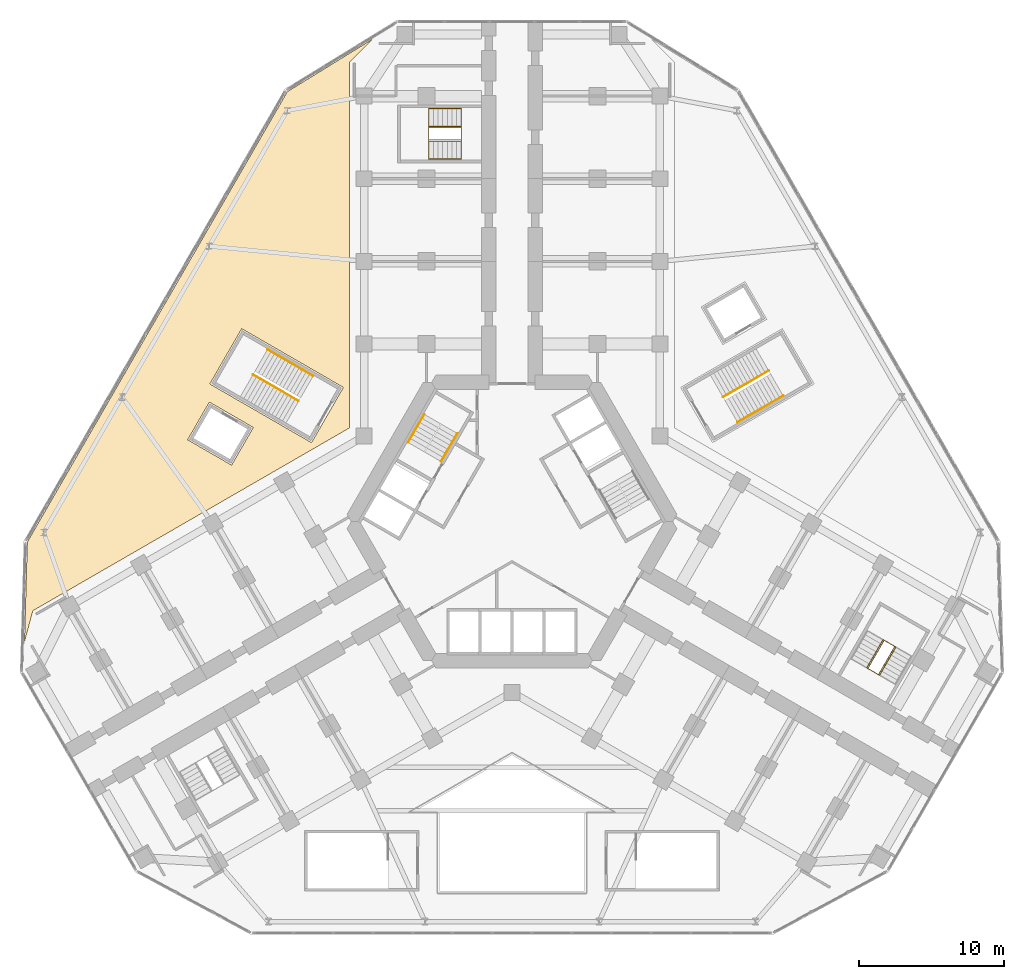
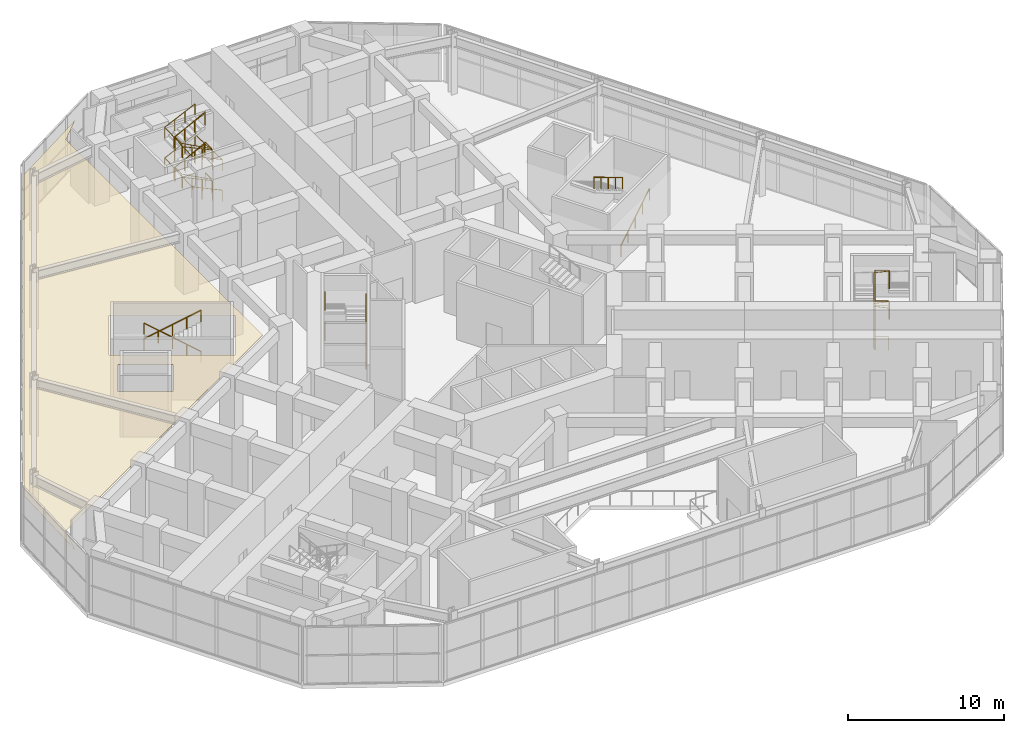
# One storey, part 21 of 22: 13 railings, 1 covering.
"""IFC4 building model written with IfcOpenShell, lengths in metres."""

from ifc_helpers import new_model, si_unit, direction, frame, origin, origin_2d, place, context, subcontext, project, spatial, polyline, circle, outline, extrude, material, layer, layer_set, type_object, element, save


model = new_model("IFC4")

# Units and contexts
model_context = context("Model", 3, precision=1e-05, world=origin(), true_north=direction((0.0, 1.0)))
body_context = subcontext(model_context, "Body", "Model", "MODEL_VIEW")
ifc_project = project(units=[si_unit("LENGTHUNIT", "METRE"), si_unit("AREAUNIT", "SQUARE_METRE"), si_unit("VOLUMEUNIT", "CUBIC_METRE"), si_unit("PLANEANGLEUNIT", "RADIAN"), si_unit("MASSUNIT", "GRAM", prefix="KILO")], contexts=[model_context])

# Site, building, storey
site_placement = place(None, origin())
site = spatial("IfcSite", under=ifc_project, at=site_placement, CompositionType="ELEMENT")
building_placement = place(site_placement, origin())
building = spatial("IfcBuilding", under=site, at=building_placement, Name="Kosmar Iwan School Tower", CompositionType="ELEMENT")
storey_placement = place(building_placement, frame((0.0, 0.0, 15.60009765625)))
storey = spatial("IfcBuildingStorey", under=building, at=storey_placement, Name="L03", CompositionType="ELEMENT", Elevation=15.60009765625)

# Covering
ifc_material_1 = material(Name="Mineral fibre acoustic tiles")
ifc_layer = layer(ifc_material_1, 0.02490234375)
ifc_layer_set = layer_set([ifc_layer], Name="Acoustic ceiling")
covering_type = type_object("IfcCoveringType", Name="Acoustic ceiling", PredefinedType="CEILING", material=ifc_layer_set)
covering_placement = place(storey_placement, frame((0.0, 0.0, 3.599853515625)))
element("IfcCovering", 1, at=covering_placement, inside=storey, type_object=covering_type, Name="Ceiling Assembly hall L03-IAB", PredefinedType="CEILING", context=body_context, shape_type="SweptSolid", body=[
    extrude(outline(polyline([(-33.629150390625, -8.29052734375), (-33.05615234375, -6.15234375), (-11.199951171875, 6.46630859375), (-11.199951171875, 31.70361328125), (-9.634521484375, 33.26904296875), (-15.496826171875, 29.65869140625), (-33.43359375, -1.40869140625), (-33.629150390625, -8.29052734375)]), holes=[polyline([(-20.845458984375, 9.49462890625), (-13.83056640625, 5.44482421875), (-11.630615234375, 9.25537109375), (-18.645263671875, 13.30517578125), (-20.845458984375, 9.49462890625)]), polyline([(-20.875732421875, 8.2421875), (-22.375732421875, 5.64404296875), (-19.3447265625, 3.89404296875), (-17.8447265625, 6.4921875), (-20.875732421875, 8.2421875)])]), origin(), (0.0, 0.0, 1.0), 0.025146484375),
])

# Railings
ifc_material_2 = material(Name="Black steel", Category="steel")
railing_type_1 = type_object("IfcRailingType", Name="Stair handrail 900", PredefinedType="HANDRAIL", material=ifc_material_2)
railing_1_placement = place(storey_placement, frame((-4.89453125, 4.142333984375, 0.14990234375)))
element("IfcRailing", 2, at=railing_1_placement, inside=storey, type_object=railing_type_1, Name="Handrail ST2 flight 1", PredefinedType="HANDRAIL", context=body_context, shape_type="SweptSolid", body=[
    extrude(circle(Radius=0.02392578125, at=origin_2d()), frame((0.0, 0.0, 0.8759765625), z_axis=(0.45267848932, 0.784169015945, 0.424453931233), x_axis=(-0.866054910533, 0.49994888933, 0.0)), (0.0, 0.0, 1.0), 2.473876953125),
    extrude(circle(Radius=0.02099609375, at=origin_2d()), origin(), (0.0, 0.0, 1.0), 0.851806640625),
    extrude(circle(Radius=0.02099609375, at=origin_2d()), frame((0.373291015625, 0.646728515625, 0.35009765625)), (0.0, 0.0, 1.0), 0.851806640625),
    extrude(circle(Radius=0.02099609375, at=origin_2d()), frame((0.74658203125, 1.293212890625, 0.699951171875)), (0.0, 0.0, 1.0), 0.851806640625),
    extrude(circle(Radius=0.02099609375, at=origin_2d()), frame((1.119873046875, 1.93994140625, 1.050048828125)), (0.0, 0.0, 1.0), 0.851806640625),
])
railing_2_placement = place(storey_placement, frame((-6.05224609375, 7.397216796875, 1.349853515625)))
element("IfcRailing", 3, at=railing_2_placement, inside=storey, type_object=railing_type_1, Name="Handrail ST2 flight 2", PredefinedType="HANDRAIL", context=body_context, shape_type="SweptSolid", body=[
    extrude(circle(Radius=0.02392578125, at=origin_2d()), frame((0.0, 0.0, 0.8759765625), z_axis=(-0.452756948549, -0.784133982819, 0.424434968551), x_axis=(0.866007717299, -0.500030632641, 0.0)), (0.0, 0.0, 1.0), 2.473876953125),
    extrude(circle(Radius=0.02099609375, at=origin_2d()), origin(), (0.0, 0.0, 1.0), 0.851806640625),
    extrude(circle(Radius=0.02099609375, at=origin_2d()), frame((-0.373291015625, -0.646728515625, 0.35009765625)), (0.0, 0.0, 1.0), 0.851806640625),
    extrude(circle(Radius=0.02099609375, at=origin_2d()), frame((-0.746826171875, -1.293212890625, 0.699951171875)), (0.0, 0.0, 1.0), 0.851806640625),
    extrude(circle(Radius=0.02099609375, at=origin_2d()), frame((-1.1201171875, -1.93994140625, 1.050048828125)), (0.0, 0.0, 1.0), 0.851806640625),
])
railing_3_placement = place(storey_placement, frame((-4.89453125, 4.142333984375, 2.5498046875)))
element("IfcRailing", 4, at=railing_3_placement, inside=storey, type_object=railing_type_1, Name="Handrail ST2 flight 3", PredefinedType="HANDRAIL", context=body_context, shape_type="SweptSolid", body=[
    extrude(circle(Radius=0.02392578125, at=origin_2d()), frame((0.0, 0.0, 0.8759765625), z_axis=(0.45267848932, 0.784169015945, 0.424453931233), x_axis=(-0.866054910533, 0.49994888933, 0.0)), (0.0, 0.0, 1.0), 2.473876953125),
    extrude(circle(Radius=0.02099609375, at=origin_2d()), origin(), (0.0, 0.0, 1.0), 0.851806640625),
    extrude(circle(Radius=0.02099609375, at=origin_2d()), frame((0.373291015625, 0.646728515625, 0.35009765625)), (0.0, 0.0, 1.0), 0.851806640625),
    extrude(circle(Radius=0.02099609375, at=origin_2d()), frame((0.74658203125, 1.293212890625, 0.699951171875)), (0.0, 0.0, 1.0), 0.851806640625),
    extrude(circle(Radius=0.02099609375, at=origin_2d()), frame((1.119873046875, 1.93994140625, 1.050048828125)), (0.0, 0.0, 1.0), 0.851806640625),
])
railing_4_placement = place(storey_placement, frame((-6.05224609375, 7.397216796875, 3.75)))
element("IfcRailing", 5, at=railing_4_placement, inside=storey, type_object=railing_type_1, Name="Handrail ST2 flight 4", PredefinedType="HANDRAIL", context=body_context, shape_type="SweptSolid", body=[
    extrude(circle(Radius=0.02392578125, at=origin_2d()), frame((0.0, 0.0, 0.8759765625), z_axis=(-0.452775911014, -0.784166824089, 0.424354057838), x_axis=(0.866007717299, -0.500030632641, 0.0)), (0.0, 0.0, 1.0), 2.473876953125),
    extrude(circle(Radius=0.02099609375, at=origin_2d()), origin(), (0.0, 0.0, 1.0), 0.851806640625),
    extrude(circle(Radius=0.02099609375, at=origin_2d()), frame((-0.373291015625, -0.646728515625, 0.349853515625)), (0.0, 0.0, 1.0), 0.851806640625),
    extrude(circle(Radius=0.02099609375, at=origin_2d()), frame((-0.746826171875, -1.293212890625, 0.699951171875)), (0.0, 0.0, 1.0), 0.851806640625),
    extrude(circle(Radius=0.02099609375, at=origin_2d()), frame((-1.1201171875, -1.93994140625, 1.0498046875)), (0.0, 0.0, 1.0), 0.851806640625),
])
railing_5_placement = place(storey_placement, frame((-3.5, 25.010009765625, 0.14990234375)))
element("IfcRailing", 6, at=railing_5_placement, inside=storey, type_object=railing_type_1, Name="Handrail stair WS1 L03 wall side", PredefinedType="HANDRAIL", context=body_context, shape_type="SweptSolid", body=[
    extrude(circle(Radius=0.02392578125, at=origin_2d()), frame((0.0, 0.0, 0.8759765625), z_axis=(-0.905450639465, 0.0, 0.424451574969), x_axis=(0.0, -1.0, 0.0)), (0.0, 0.0, 1.0), 2.473876953125),
    extrude(circle(Radius=0.02392578125, at=origin_2d()), frame((-2.239990234375, 0.0, 1.92578125), z_axis=(0.0, 0.999073534241, 0.0430357198), x_axis=(-1.0, 0.0, 0.0)), (0.0, 0.0, 1.0), 3.483154296875),
    extrude(circle(Radius=0.02392578125, at=origin_2d()), frame((-2.239990234375, 3.47998046875, 2.07568359375), z_axis=(0.905450639465, 0.0, 0.424451574969), x_axis=(0.0, 1.0, 0.0)), (0.0, 0.0, 1.0), 2.473876953125),
    extrude(circle(Radius=0.02392578125, at=origin_2d()), frame((0.0, 3.47998046875, 3.1259765625), z_axis=(0.0, -0.999073534241, 0.0430357198), x_axis=(1.0, 0.0, 0.0)), (0.0, 0.0, 1.0), 3.483154296875),
    extrude(circle(Radius=0.02392578125, at=origin_2d()), frame((0.0, 0.0, 3.27587890625), z_axis=(-0.905450639465, 0.0, 0.424451574969), x_axis=(0.0, -1.0, 0.0)), (0.0, 0.0, 1.0), 2.473876953125),
    extrude(circle(Radius=0.02392578125, at=origin_2d()), frame((-2.239990234375, 0.0, 4.32568359375), z_axis=(0.0, 0.99907051819, 0.043105680419), x_axis=(-1.0, 0.0, 0.0)), (0.0, 0.0, 1.0), 3.483154296875),
    extrude(circle(Radius=0.02392578125, at=origin_2d()), frame((-2.239990234375, 3.47998046875, 4.47607421875), z_axis=(0.905488564713, 0.0, 0.424370662481), x_axis=(0.0, 1.0, 0.0)), (0.0, 0.0, 1.0), 2.473876953125),
    extrude(circle(Radius=0.02099609375, at=origin_2d()), origin(), (0.0, 0.0, 1.0), 0.851806640625),
    extrude(circle(Radius=0.02099609375, at=origin_2d()), frame((-0.74658203125, 0.0, 0.35009765625)), (0.0, 0.0, 1.0), 0.851806640625),
    extrude(circle(Radius=0.02099609375, at=origin_2d()), frame((-1.493408203125, 0.0, 0.699951171875)), (0.0, 0.0, 1.0), 0.851806640625),
    extrude(circle(Radius=0.02099609375, at=origin_2d()), frame((-2.239990234375, 0.0, 1.050048828125)), (0.0, 0.0, 1.0), 0.851806640625),
    extrude(circle(Radius=0.02099609375, at=origin_2d()), frame((-2.239990234375, 1.159912109375, 1.10009765625)), (0.0, 0.0, 1.0), 0.851806640625),
    extrude(circle(Radius=0.02099609375, at=origin_2d()), frame((-2.239990234375, 2.320068359375, 1.14990234375)), (0.0, 0.0, 1.0), 0.851806640625),
    extrude(circle(Radius=0.02099609375, at=origin_2d()), frame((-2.239990234375, 3.47998046875, 1.199951171875)), (0.0, 0.0, 1.0), 0.851806640625),
    extrude(circle(Radius=0.02099609375, at=origin_2d()), frame((-1.493408203125, 3.47998046875, 1.550048828125)), (0.0, 0.0, 1.0), 0.851806640625),
    extrude(circle(Radius=0.02099609375, at=origin_2d()), frame((-0.74658203125, 3.47998046875, 1.89990234375)), (0.0, 0.0, 1.0), 0.851806640625),
    extrude(circle(Radius=0.02099609375, at=origin_2d()), frame((0.0, 3.47998046875, 2.25)), (0.0, 0.0, 1.0), 0.851806640625),
    extrude(circle(Radius=0.02099609375, at=origin_2d()), frame((0.0, 2.320068359375, 2.300048828125)), (0.0, 0.0, 1.0), 0.851806640625),
    extrude(circle(Radius=0.02099609375, at=origin_2d()), frame((0.0, 1.159912109375, 2.349853515625)), (0.0, 0.0, 1.0), 0.851806640625),
    extrude(circle(Radius=0.02099609375, at=origin_2d()), frame((0.0, 0.0, 2.39990234375)), (0.0, 0.0, 1.0), 0.851806640625),
    extrude(circle(Radius=0.02099609375, at=origin_2d()), frame((-0.74658203125, 0.0, 2.75)), (0.0, 0.0, 1.0), 0.851806640625),
    extrude(circle(Radius=0.02099609375, at=origin_2d()), frame((-1.493408203125, 0.0, 3.099853515625)), (0.0, 0.0, 1.0), 0.851806640625),
    extrude(circle(Radius=0.02099609375, at=origin_2d()), frame((-2.239990234375, 0.0, 3.449951171875)), (0.0, 0.0, 1.0), 0.851806640625),
    extrude(circle(Radius=0.02099609375, at=origin_2d()), frame((-2.239990234375, 1.159912109375, 3.5)), (0.0, 0.0, 1.0), 0.851806640625),
    extrude(circle(Radius=0.02099609375, at=origin_2d()), frame((-2.239990234375, 2.320068359375, 3.550048828125)), (0.0, 0.0, 1.0), 0.851806640625),
    extrude(circle(Radius=0.02099609375, at=origin_2d()), frame((-2.239990234375, 3.47998046875, 3.60009765625)), (0.0, 0.0, 1.0), 0.851806640625),
    extrude(circle(Radius=0.02099609375, at=origin_2d()), frame((-1.493408203125, 3.47998046875, 3.949951171875)), (0.0, 0.0, 1.0), 0.851806640625),
    extrude(circle(Radius=0.02099609375, at=origin_2d()), frame((-0.74658203125, 3.47998046875, 4.300048828125)), (0.0, 0.0, 1.0), 0.851806640625),
    extrude(circle(Radius=0.02099609375, at=origin_2d()), frame((0.0, 3.47998046875, 4.64990234375)), (0.0, 0.0, 1.0), 0.851806640625),
])
railing_6_placement = place(storey_placement, frame((-3.5, 26.239990234375, 0.14990234375)))
element("IfcRailing", 7, at=railing_6_placement, inside=storey, type_object=railing_type_1, Name="Handrail stair WS1 L03 well side", PredefinedType="HANDRAIL", context=body_context, shape_type="SweptSolid", body=[
    extrude(circle(Radius=0.02392578125, at=origin_2d()), frame((0.0, 0.0, 0.8759765625), z_axis=(-0.905450639465, 0.0, 0.424451574969), x_axis=(0.0, -1.0, 0.0)), (0.0, 0.0, 1.0), 2.473876953125),
    extrude(circle(Radius=0.02392578125, at=origin_2d()), frame((-2.239990234375, 0.0, 1.92578125), z_axis=(0.0, 0.989373166647, 0.145398545793), x_axis=(-1.0, 0.0, 0.0)), (0.0, 0.0, 1.0), 1.031005859375),
    extrude(circle(Radius=0.02392578125, at=origin_2d()), frame((-2.239990234375, 1.02001953125, 2.07568359375), z_axis=(0.905450639465, 0.0, 0.424451574969), x_axis=(0.0, 1.0, 0.0)), (0.0, 0.0, 1.0), 2.473876953125),
    extrude(circle(Radius=0.02392578125, at=origin_2d()), frame((0.0, 1.02001953125, 3.1259765625), z_axis=(0.0, -0.989373166647, 0.145398545793), x_axis=(1.0, 0.0, 0.0)), (0.0, 0.0, 1.0), 1.031005859375),
    extrude(circle(Radius=0.02392578125, at=origin_2d()), frame((0.0, 0.0, 3.27587890625), z_axis=(-0.905450639465, 0.0, 0.424451574969), x_axis=(0.0, -1.0, 0.0)), (0.0, 0.0, 1.0), 2.473876953125),
    extrude(circle(Radius=0.02392578125, at=origin_2d()), frame((-2.239990234375, 0.0, 4.32568359375), z_axis=(0.0, 0.989339075395, 0.145630333023), x_axis=(-1.0, 0.0, 0.0)), (0.0, 0.0, 1.0), 1.031005859375),
    extrude(circle(Radius=0.02392578125, at=origin_2d()), frame((-2.239990234375, 1.02001953125, 4.47607421875), z_axis=(0.905488564713, 0.0, 0.424370662481), x_axis=(0.0, 1.0, 0.0)), (0.0, 0.0, 1.0), 2.473876953125),
    extrude(circle(Radius=0.02099609375, at=origin_2d()), origin(), (0.0, 0.0, 1.0), 0.851806640625),
    extrude(circle(Radius=0.02099609375, at=origin_2d()), frame((-0.74658203125, 0.0, 0.35009765625)), (0.0, 0.0, 1.0), 0.851806640625),
    extrude(circle(Radius=0.02099609375, at=origin_2d()), frame((-1.493408203125, 0.0, 0.699951171875)), (0.0, 0.0, 1.0), 0.851806640625),
    extrude(circle(Radius=0.02099609375, at=origin_2d()), frame((-2.239990234375, 0.0, 1.050048828125)), (0.0, 0.0, 1.0), 0.851806640625),
    extrude(circle(Radius=0.02099609375, at=origin_2d()), frame((-2.239990234375, 1.02001953125, 1.199951171875)), (0.0, 0.0, 1.0), 0.851806640625),
    extrude(circle(Radius=0.02099609375, at=origin_2d()), frame((-1.493408203125, 1.02001953125, 1.550048828125)), (0.0, 0.0, 1.0), 0.851806640625),
    extrude(circle(Radius=0.02099609375, at=origin_2d()), frame((-0.74658203125, 1.02001953125, 1.89990234375)), (0.0, 0.0, 1.0), 0.851806640625),
    extrude(circle(Radius=0.02099609375, at=origin_2d()), frame((0.0, 1.02001953125, 2.25)), (0.0, 0.0, 1.0), 0.851806640625),
    extrude(circle(Radius=0.02099609375, at=origin_2d()), frame((0.0, 0.0, 2.39990234375)), (0.0, 0.0, 1.0), 0.851806640625),
    extrude(circle(Radius=0.02099609375, at=origin_2d()), frame((-0.74658203125, 0.0, 2.75)), (0.0, 0.0, 1.0), 0.851806640625),
    extrude(circle(Radius=0.02099609375, at=origin_2d()), frame((-1.493408203125, 0.0, 3.099853515625)), (0.0, 0.0, 1.0), 0.851806640625),
    extrude(circle(Radius=0.02099609375, at=origin_2d()), frame((-2.239990234375, 0.0, 3.449951171875)), (0.0, 0.0, 1.0), 0.851806640625),
    extrude(circle(Radius=0.02099609375, at=origin_2d()), frame((-2.239990234375, 1.02001953125, 3.60009765625)), (0.0, 0.0, 1.0), 0.851806640625),
    extrude(circle(Radius=0.02099609375, at=origin_2d()), frame((-1.493408203125, 1.02001953125, 3.949951171875)), (0.0, 0.0, 1.0), 0.851806640625),
    extrude(circle(Radius=0.02099609375, at=origin_2d()), frame((-0.74658203125, 1.02001953125, 4.300048828125)), (0.0, 0.0, 1.0), 0.851806640625),
    extrude(circle(Radius=0.02099609375, at=origin_2d()), frame((0.0, 1.02001953125, 4.64990234375)), (0.0, 0.0, 1.0), 0.851806640625),
])
railing_7_placement = place(storey_placement, frame((24.474609375, -10.0888671875, 0.14990234375)))
element("IfcRailing", 8, at=railing_7_placement, inside=storey, type_object=railing_type_1, Name="Handrail stair WS3 L03 well side", PredefinedType="HANDRAIL", context=body_context, shape_type="SweptSolid", body=[
    extrude(circle(Radius=0.02392578125, at=origin_2d()), frame((0.0, 0.0, 0.8759765625), z_axis=(0.45267848932, 0.784169015945, 0.424453931233), x_axis=(-0.866054910533, 0.49994888933, 0.0)), (0.0, 0.0, 1.0), 2.473876953125),
    extrude(circle(Radius=0.02392578125, at=origin_2d()), frame((1.119873046875, 1.93994140625, 1.92578125), z_axis=(0.856806295441, -0.494712092641, 0.145406043505), x_axis=(0.500026340207, 0.866010195725, 0.0)), (0.0, 0.0, 1.0), 1.031005859375),
    extrude(circle(Radius=0.02392578125, at=origin_2d()), frame((2.003173828125, 1.429931640625, 2.07568359375), z_axis=(-0.45267848932, -0.784169015945, 0.424453931233), x_axis=(0.866054910533, -0.49994888933, 0.0)), (0.0, 0.0, 1.0), 2.473876953125),
    extrude(circle(Radius=0.02392578125, at=origin_2d()), frame((0.88330078125, -0.510009765625, 3.1259765625), z_axis=(-0.856806295441, 0.494712092641, 0.145406043505), x_axis=(-0.500026340207, -0.866010195725, 0.0)), (0.0, 0.0, 1.0), 1.031005859375),
    extrude(circle(Radius=0.02392578125, at=origin_2d()), frame((0.0, 0.0, 3.27587890625), z_axis=(0.45267848932, 0.784169015945, 0.424453931233), x_axis=(-0.866054910533, 0.49994888933, 0.0)), (0.0, 0.0, 1.0), 2.473876953125),
    extrude(circle(Radius=0.02392578125, at=origin_2d()), frame((1.119873046875, 1.93994140625, 4.32568359375), z_axis=(0.856776769057, -0.494695044378, 0.14563784217), x_axis=(0.500026340207, 0.866010195725, 0.0)), (0.0, 0.0, 1.0), 1.031005859375),
    extrude(circle(Radius=0.02392578125, at=origin_2d()), frame((2.003173828125, 1.429931640625, 4.47607421875), z_axis=(-0.452697450193, -0.784201861617, 0.424373018494), x_axis=(0.866054910533, -0.49994888933, 0.0)), (0.0, 0.0, 1.0), 2.473876953125),
    extrude(circle(Radius=0.02099609375, at=origin_2d()), origin(), (0.0, 0.0, 1.0), 0.851806640625),
    extrude(circle(Radius=0.02099609375, at=origin_2d()), frame((0.373291015625, 0.646728515625, 0.35009765625)), (0.0, 0.0, 1.0), 0.851806640625),
    extrude(circle(Radius=0.02099609375, at=origin_2d()), frame((0.74658203125, 1.293212890625, 0.699951171875)), (0.0, 0.0, 1.0), 0.851806640625),
    extrude(circle(Radius=0.02099609375, at=origin_2d()), frame((1.119873046875, 1.93994140625, 1.050048828125)), (0.0, 0.0, 1.0), 0.851806640625),
    extrude(circle(Radius=0.02099609375, at=origin_2d()), frame((2.003173828125, 1.429931640625, 1.199951171875)), (0.0, 0.0, 1.0), 0.851806640625),
    extrude(circle(Radius=0.02099609375, at=origin_2d()), frame((1.6298828125, 0.783203125, 1.550048828125)), (0.0, 0.0, 1.0), 0.851806640625),
    extrude(circle(Radius=0.02099609375, at=origin_2d()), frame((1.256591796875, 0.13671875, 1.89990234375)), (0.0, 0.0, 1.0), 0.851806640625),
    extrude(circle(Radius=0.02099609375, at=origin_2d()), frame((0.88330078125, -0.510009765625, 2.25)), (0.0, 0.0, 1.0), 0.851806640625),
    extrude(circle(Radius=0.02099609375, at=origin_2d()), frame((0.0, 0.0, 2.39990234375)), (0.0, 0.0, 1.0), 0.851806640625),
    extrude(circle(Radius=0.02099609375, at=origin_2d()), frame((0.373291015625, 0.646728515625, 2.75)), (0.0, 0.0, 1.0), 0.851806640625),
    extrude(circle(Radius=0.02099609375, at=origin_2d()), frame((0.74658203125, 1.293212890625, 3.099853515625)), (0.0, 0.0, 1.0), 0.851806640625),
    extrude(circle(Radius=0.02099609375, at=origin_2d()), frame((1.119873046875, 1.93994140625, 3.449951171875)), (0.0, 0.0, 1.0), 0.851806640625),
    extrude(circle(Radius=0.02099609375, at=origin_2d()), frame((2.003173828125, 1.429931640625, 3.60009765625)), (0.0, 0.0, 1.0), 0.851806640625),
    extrude(circle(Radius=0.02099609375, at=origin_2d()), frame((1.6298828125, 0.783203125, 3.949951171875)), (0.0, 0.0, 1.0), 0.851806640625),
    extrude(circle(Radius=0.02099609375, at=origin_2d()), frame((1.256591796875, 0.13671875, 4.300048828125)), (0.0, 0.0, 1.0), 0.851806640625),
    extrude(circle(Radius=0.02099609375, at=origin_2d()), frame((0.88330078125, -0.510009765625, 4.64990234375)), (0.0, 0.0, 1.0), 0.851806640625),
])
railing_8_placement = place(storey_placement, frame((15.555908203125, 6.8564453125, 0.17138671875)))
element("IfcRailing", 9, at=railing_8_placement, inside=storey, type_object=railing_type_1, Name="Handrail SS3 flight 1", PredefinedType="HANDRAIL", context=body_context, shape_type="SweptSolid", body=[
    extrude(circle(Radius=0.02392578125, at=origin_2d()), frame((0.0, 0.0, 0.8759765625), z_axis=(0.738592093898, 0.426440834883, 0.522139764025), x_axis=(-0.500012742938, 0.866018046521, 0.0)), (0.0, 0.0, 1.0), 4.26806640625),
    extrude(circle(Radius=0.02099609375, at=origin_2d()), origin(), (0.0, 0.0, 1.0), 0.851806640625),
    extrude(circle(Radius=0.02099609375, at=origin_2d()), frame((0.7880859375, 0.455078125, 0.55712890625)), (0.0, 0.0, 1.0), 0.851806640625),
    extrude(circle(Radius=0.02099609375, at=origin_2d()), frame((1.576171875, 0.91015625, 1.1142578125)), (0.0, 0.0, 1.0), 0.851806640625),
    extrude(circle(Radius=0.02099609375, at=origin_2d()), frame((2.3642578125, 1.364990234375, 1.67138671875)), (0.0, 0.0, 1.0), 0.851806640625),
    extrude(circle(Radius=0.02099609375, at=origin_2d()), frame((3.15234375, 1.820068359375, 2.228515625)), (0.0, 0.0, 1.0), 0.851806640625),
])
railing_9_placement = place(storey_placement, frame((17.708251953125, 10.408447265625, 2.5712890625)))
element("IfcRailing", 10, at=railing_9_placement, inside=storey, type_object=railing_type_1, Name="Handrail SS3 flight 2", PredefinedType="HANDRAIL", context=body_context, shape_type="SweptSolid", body=[
    extrude(circle(Radius=0.02392578125, at=origin_2d()), frame((0.0, 0.0, 0.8759765625), z_axis=(-0.738610110021, -0.426394033464, 0.52215250033), x_axis=(0.499962438169, -0.866047089031, 0.0)), (0.0, 0.0, 1.0), 4.267822265625),
    extrude(circle(Radius=0.02099609375, at=origin_2d()), origin(), (0.0, 0.0, 1.0), 0.851806640625),
    extrude(circle(Radius=0.02099609375, at=origin_2d()), frame((-0.7880859375, -0.455078125, 0.55712890625)), (0.0, 0.0, 1.0), 0.851806640625),
    extrude(circle(Radius=0.02099609375, at=origin_2d()), frame((-1.576171875, -0.909912109375, 1.1142578125)), (0.0, 0.0, 1.0), 0.851806640625),
    extrude(circle(Radius=0.02099609375, at=origin_2d()), frame((-2.3642578125, -1.36474609375, 1.67138671875)), (0.0, 0.0, 1.0), 0.851806640625),
    extrude(circle(Radius=0.02099609375, at=origin_2d()), frame((-3.15234375, -1.81982421875, 2.228515625)), (0.0, 0.0, 1.0), 0.851806640625),
])
railing_10_placement = place(storey_placement, frame((-13.7158203125, 10.04345703125, 0.17138671875)))
element("IfcRailing", 11, at=railing_10_placement, inside=storey, type_object=railing_type_1, Name="Handrail SS4 flight 1", PredefinedType="HANDRAIL", context=body_context, shape_type="SweptSolid", body=[
    extrude(circle(Radius=0.02392578125, at=origin_2d()), frame((0.0, 0.0, 0.8759765625), z_axis=(-0.738592093898, 0.426440834883, 0.522139764025), x_axis=(-0.500012742938, -0.866018046521, 0.0)), (0.0, 0.0, 1.0), 4.26806640625),
    extrude(circle(Radius=0.02099609375, at=origin_2d()), origin(), (0.0, 0.0, 1.0), 0.851806640625),
    extrude(circle(Radius=0.02099609375, at=origin_2d()), frame((-0.7880859375, 0.455078125, 0.55712890625)), (0.0, 0.0, 1.0), 0.851806640625),
    extrude(circle(Radius=0.02099609375, at=origin_2d()), frame((-1.576171875, 0.91015625, 1.1142578125)), (0.0, 0.0, 1.0), 0.851806640625),
    extrude(circle(Radius=0.02099609375, at=origin_2d()), frame((-2.3642578125, 1.364990234375, 1.67138671875)), (0.0, 0.0, 1.0), 0.851806640625),
    extrude(circle(Radius=0.02099609375, at=origin_2d()), frame((-3.15234375, 1.820068359375, 2.228515625)), (0.0, 0.0, 1.0), 0.851806640625),
])
railing_11_placement = place(storey_placement, frame((-17.8681640625, 10.13134765625, 2.5712890625)))
element("IfcRailing", 12, at=railing_11_placement, inside=storey, type_object=railing_type_1, Name="Handrail SS4 flight 2", PredefinedType="HANDRAIL", context=body_context, shape_type="SweptSolid", body=[
    extrude(circle(Radius=0.02392578125, at=origin_2d()), frame((0.0, 0.0, 0.8759765625), z_axis=(0.738610110021, -0.426394033464, 0.52215250033), x_axis=(0.499962438169, 0.866047089031, 0.0)), (0.0, 0.0, 1.0), 4.267822265625),
    extrude(circle(Radius=0.02099609375, at=origin_2d()), origin(), (0.0, 0.0, 1.0), 0.851806640625),
    extrude(circle(Radius=0.02099609375, at=origin_2d()), frame((0.7880859375, -0.455078125, 0.55712890625)), (0.0, 0.0, 1.0), 0.851806640625),
    extrude(circle(Radius=0.02099609375, at=origin_2d()), frame((1.576171875, -0.909912109375, 1.1142578125)), (0.0, 0.0, 1.0), 0.851806640625),
    extrude(circle(Radius=0.02099609375, at=origin_2d()), frame((2.3642578125, -1.36474609375, 1.67138671875)), (0.0, 0.0, 1.0), 0.851806640625),
    extrude(circle(Radius=0.02099609375, at=origin_2d()), frame((3.15234375, -1.81982421875, 2.228515625)), (0.0, 0.0, 1.0), 0.851806640625),
])
ifc_material_3 = material(Name="Black steel", Category="steel")
railing_type_2 = type_object("IfcRailingType", Name="Stair well guard 1100", PredefinedType="GUARDRAIL", material=ifc_material_3)
railing_12_placement = place(storey_placement, frame((-3.5, 27.169921875, 0.0)))
element("IfcRailing", 13, at=railing_12_placement, inside=storey, type_object=railing_type_2, Name="Stair WS1 L03 well guard", PredefinedType="GUARDRAIL", context=body_context, shape_type="SweptSolid", body=[
    extrude(circle(Radius=0.02392578125, at=origin_2d()), frame((0.0, 0.0, 1.076171875), z_axis=(0.0, -1.0, 0.0), x_axis=(1.0, 0.0, 0.0)), (0.0, 0.0, 1.0), 0.83984375),
    extrude(circle(Radius=0.02392578125, at=origin_2d()), frame((0.0, -0.83984375, 1.076171875), z_axis=(-0.881487111273, 0.0, 0.472208081951), x_axis=(0.0, -1.0, 0.0)), (0.0, 0.0, 1.0), 2.541259765625),
    extrude(circle(Radius=0.02392578125, at=origin_2d()), frame((-2.239990234375, -0.83984375, 2.27587890625), z_axis=(0.0, 1.0, 0.0), x_axis=(-1.0, 0.0, 0.0)), (0.0, 0.0, 1.0), 0.83984375),
    extrude(circle(Radius=0.02392578125, at=origin_2d()), frame((-2.239990234375, 0.0, 2.27587890625), z_axis=(0.881487111273, 0.0, 0.472208081951), x_axis=(0.0, 1.0, 0.0)), (0.0, 0.0, 1.0), 2.541259765625),
    extrude(circle(Radius=0.02392578125, at=origin_2d()), frame((0.0, 0.0, 3.47607421875), z_axis=(0.0, -1.0, 0.0), x_axis=(1.0, 0.0, 0.0)), (0.0, 0.0, 1.0), 0.83984375),
    extrude(circle(Radius=0.02392578125, at=origin_2d()), frame((0.0, -0.83984375, 3.47607421875), z_axis=(-0.881487111273, 0.0, 0.472208081951), x_axis=(0.0, -1.0, 0.0)), (0.0, 0.0, 1.0), 2.541259765625),
    extrude(circle(Radius=0.02392578125, at=origin_2d()), frame((-2.239990234375, -0.83984375, 4.67578125), z_axis=(0.0, 1.0, 0.0), x_axis=(-1.0, 0.0, 0.0)), (0.0, 0.0, 1.0), 0.83984375),
    extrude(circle(Radius=0.02392578125, at=origin_2d()), frame((-2.239990234375, 0.0, 4.67578125), z_axis=(0.881487111273, 0.0, 0.472208081951), x_axis=(0.0, 1.0, 0.0)), (0.0, 0.0, 1.0), 2.541259765625),
    extrude(circle(Radius=0.02099609375, at=origin_2d()), origin(), (0.0, 0.0, 1.0), 1.052001953125),
    extrude(circle(Radius=0.02099609375, at=origin_2d()), frame((0.0, -0.83984375, 0.0)), (0.0, 0.0, 1.0), 1.052001953125),
    extrude(circle(Radius=0.02099609375, at=origin_2d()), frame((-0.74658203125, -0.83984375, 0.39990234375)), (0.0, 0.0, 1.0), 1.052001953125),
    extrude(circle(Radius=0.02099609375, at=origin_2d()), frame((-1.493408203125, -0.83984375, 0.800048828125)), (0.0, 0.0, 1.0), 1.052001953125),
    extrude(circle(Radius=0.02099609375, at=origin_2d()), frame((-2.239990234375, -0.83984375, 1.199951171875)), (0.0, 0.0, 1.0), 1.052001953125),
    extrude(circle(Radius=0.02099609375, at=origin_2d()), frame((-2.239990234375, 0.0, 1.199951171875)), (0.0, 0.0, 1.0), 1.052001953125),
    extrude(circle(Radius=0.02099609375, at=origin_2d()), frame((-1.493408203125, 0.0, 1.599853515625)), (0.0, 0.0, 1.0), 1.052001953125),
    extrude(circle(Radius=0.02099609375, at=origin_2d()), frame((-0.74658203125, 0.0, 2.0)), (0.0, 0.0, 1.0), 1.052001953125),
    extrude(circle(Radius=0.02099609375, at=origin_2d()), frame((0.0, 0.0, 2.39990234375)), (0.0, 0.0, 1.0), 1.052001953125),
    extrude(circle(Radius=0.02099609375, at=origin_2d()), frame((0.0, -0.83984375, 2.39990234375)), (0.0, 0.0, 1.0), 1.052001953125),
    extrude(circle(Radius=0.02099609375, at=origin_2d()), frame((-0.74658203125, -0.83984375, 2.7998046875)), (0.0, 0.0, 1.0), 1.052001953125),
    extrude(circle(Radius=0.02099609375, at=origin_2d()), frame((-1.493408203125, -0.83984375, 3.199951171875)), (0.0, 0.0, 1.0), 1.052001953125),
    extrude(circle(Radius=0.02099609375, at=origin_2d()), frame((-2.239990234375, -0.83984375, 3.599853515625)), (0.0, 0.0, 1.0), 1.052001953125),
    extrude(circle(Radius=0.02099609375, at=origin_2d()), frame((-2.239990234375, 0.0, 3.599853515625)), (0.0, 0.0, 1.0), 1.052001953125),
    extrude(circle(Radius=0.02099609375, at=origin_2d()), frame((-1.493408203125, 0.0, 3.999755859375)), (0.0, 0.0, 1.0), 1.052001953125),
    extrude(circle(Radius=0.02099609375, at=origin_2d()), frame((-0.74658203125, 0.0, 4.39990234375)), (0.0, 0.0, 1.0), 1.052001953125),
    extrude(circle(Radius=0.02099609375, at=origin_2d()), frame((0.0, 0.0, 4.7998046875)), (0.0, 0.0, 1.0), 1.052001953125),
])
railing_13_placement = place(storey_placement, frame((25.280029296875, -10.553955078125, 0.0)))
element("IfcRailing", 14, at=railing_13_placement, inside=storey, type_object=railing_type_2, Name="Stair WS3 L03 well guard", PredefinedType="GUARDRAIL", context=body_context, shape_type="SweptSolid", body=[
    extrude(circle(Radius=0.02392578125, at=origin_2d()), frame((0.0, 0.0, 1.076171875), z_axis=(-0.865962960534, 0.500108139288, 0.0), x_axis=(-0.500108139288, -0.865962960534, 0.0)), (0.0, 0.0, 1.0), 0.840087890625),
    extrude(circle(Radius=0.02392578125, at=origin_2d()), frame((-0.7275390625, 0.420166015625, 1.076171875), z_axis=(0.440730161534, 0.763375001828, 0.472245202515), x_axis=(-0.866027664105, 0.49999608499, 0.0)), (0.0, 0.0, 1.0), 2.541015625),
    extrude(circle(Radius=0.02392578125, at=origin_2d()), frame((0.392333984375, 2.35986328125, 2.27587890625), z_axis=(0.866088799389, -0.499890179513, 0.0), x_axis=(0.499890179513, 0.866088799389, 0.0)), (0.0, 0.0, 1.0), 0.840087890625),
    extrude(circle(Radius=0.02392578125, at=origin_2d()), frame((1.119873046875, 1.93994140625, 2.27587890625), z_axis=(-0.44069783685, -0.763415088643, 0.472210566408), x_axis=(0.866054910533, -0.49994888933, 0.0)), (0.0, 0.0, 1.0), 2.541015625),
    extrude(circle(Radius=0.02392578125, at=origin_2d()), frame((0.0, 0.0, 3.47607421875), z_axis=(-0.865962960534, 0.500108139288, 0.0), x_axis=(-0.500108139288, -0.865962960534, 0.0)), (0.0, 0.0, 1.0), 0.840087890625),
    extrude(circle(Radius=0.02392578125, at=origin_2d()), frame((-0.7275390625, 0.420166015625, 3.47607421875), z_axis=(0.440730161534, 0.763375001828, 0.472245202515), x_axis=(-0.866027664105, 0.49999608499, 0.0)), (0.0, 0.0, 1.0), 2.541015625),
    extrude(circle(Radius=0.02392578125, at=origin_2d()), frame((0.392333984375, 2.35986328125, 4.67578125), z_axis=(0.866088799389, -0.499890179513, 0.0), x_axis=(0.499890179513, 0.866088799389, 0.0)), (0.0, 0.0, 1.0), 0.840087890625),
    extrude(circle(Radius=0.02392578125, at=origin_2d()), frame((1.119873046875, 1.93994140625, 4.67578125), z_axis=(-0.44069783685, -0.763415088643, 0.472210566408), x_axis=(0.866054910533, -0.49994888933, 0.0)), (0.0, 0.0, 1.0), 2.541015625),
    extrude(circle(Radius=0.02099609375, at=origin_2d()), origin(), (0.0, 0.0, 1.0), 1.052001953125),
    extrude(circle(Radius=0.02099609375, at=origin_2d()), frame((-0.7275390625, 0.420166015625, 0.0)), (0.0, 0.0, 1.0), 1.052001953125),
    extrude(circle(Radius=0.02099609375, at=origin_2d()), frame((-0.354248046875, 1.066650390625, 0.39990234375)), (0.0, 0.0, 1.0), 1.052001953125),
    extrude(circle(Radius=0.02099609375, at=origin_2d()), frame((0.01904296875, 1.71337890625, 0.800048828125)), (0.0, 0.0, 1.0), 1.052001953125),
    extrude(circle(Radius=0.02099609375, at=origin_2d()), frame((0.392333984375, 2.35986328125, 1.199951171875)), (0.0, 0.0, 1.0), 1.052001953125),
    extrude(circle(Radius=0.02099609375, at=origin_2d()), frame((1.119873046875, 1.93994140625, 1.199951171875)), (0.0, 0.0, 1.0), 1.052001953125),
    extrude(circle(Radius=0.02099609375, at=origin_2d()), frame((0.74658203125, 1.293212890625, 1.599853515625)), (0.0, 0.0, 1.0), 1.052001953125),
    extrude(circle(Radius=0.02099609375, at=origin_2d()), frame((0.373291015625, 0.646728515625, 2.0)), (0.0, 0.0, 1.0), 1.052001953125),
    extrude(circle(Radius=0.02099609375, at=origin_2d()), frame((0.0, 0.0, 2.39990234375)), (0.0, 0.0, 1.0), 1.052001953125),
    extrude(circle(Radius=0.02099609375, at=origin_2d()), frame((-0.7275390625, 0.420166015625, 2.39990234375)), (0.0, 0.0, 1.0), 1.052001953125),
    extrude(circle(Radius=0.02099609375, at=origin_2d()), frame((-0.354248046875, 1.066650390625, 2.7998046875)), (0.0, 0.0, 1.0), 1.052001953125),
    extrude(circle(Radius=0.02099609375, at=origin_2d()), frame((0.01904296875, 1.71337890625, 3.199951171875)), (0.0, 0.0, 1.0), 1.052001953125),
    extrude(circle(Radius=0.02099609375, at=origin_2d()), frame((0.392333984375, 2.35986328125, 3.599853515625)), (0.0, 0.0, 1.0), 1.052001953125),
    extrude(circle(Radius=0.02099609375, at=origin_2d()), frame((1.119873046875, 1.93994140625, 3.599853515625)), (0.0, 0.0, 1.0), 1.052001953125),
    extrude(circle(Radius=0.02099609375, at=origin_2d()), frame((0.74658203125, 1.293212890625, 3.999755859375)), (0.0, 0.0, 1.0), 1.052001953125),
    extrude(circle(Radius=0.02099609375, at=origin_2d()), frame((0.373291015625, 0.646728515625, 4.39990234375)), (0.0, 0.0, 1.0), 1.052001953125),
    extrude(circle(Radius=0.02099609375, at=origin_2d()), frame((0.0, 0.0, 4.7998046875)), (0.0, 0.0, 1.0), 1.052001953125),
])

save(model, "model.ifc")
